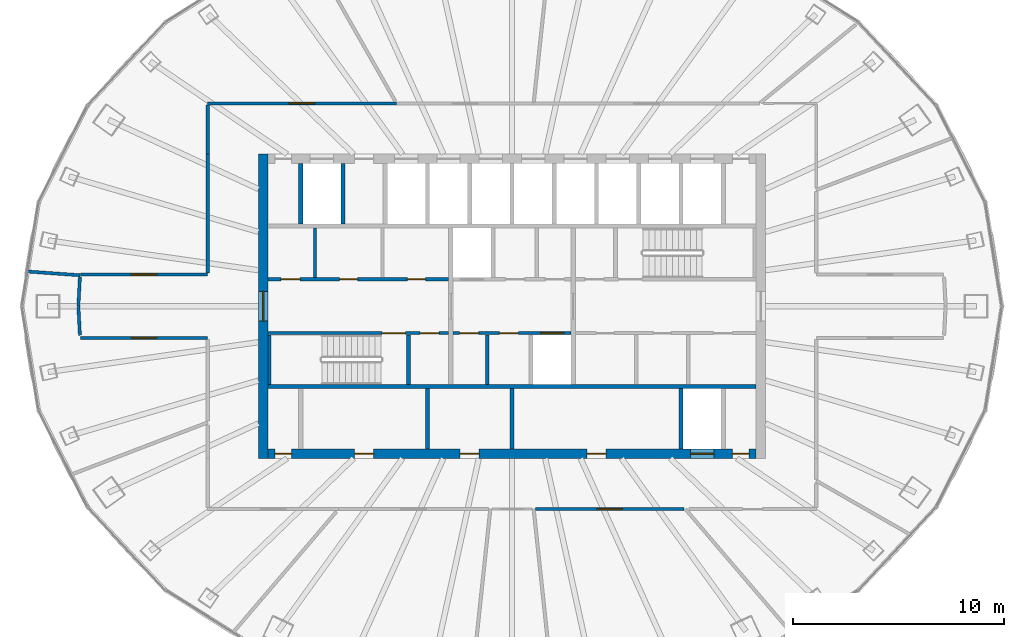
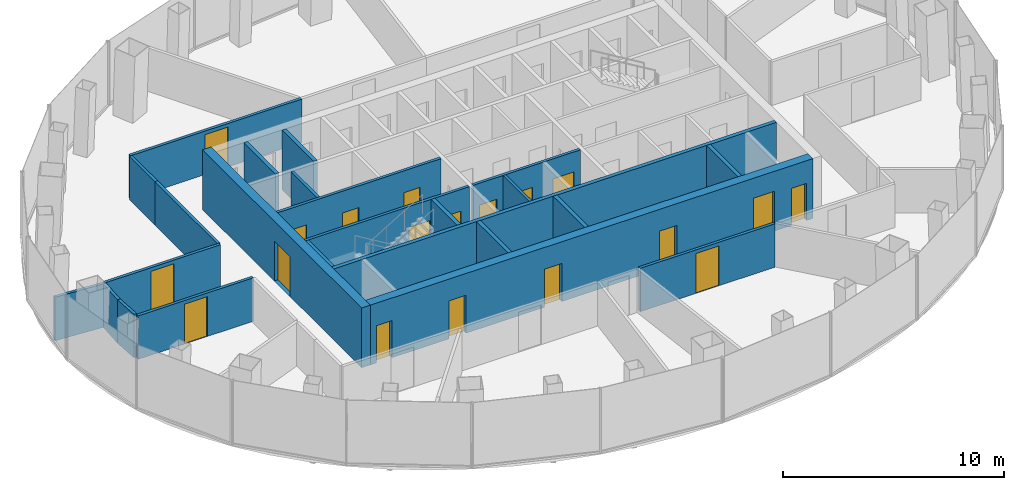
# One storey, part 8 of 11: 24 walls, 19 doors, 19 openings.
"""IFC4 building model written with IfcOpenShell, lengths in metres."""

from ifc_helpers import new_model, si_unit, direction, frame, frame_2d, origin, place, context, subcontext, project, spatial, rectangle, extrude, material, layer, layer_set, type_object, element, fill, save


model = new_model("IFC4")

# Units and contexts
model_context = context("Model", 3, precision=1e-05, world=origin(), true_north=direction((0.0, 1.0)))
body_context = subcontext(model_context, "Body", "Model", "MODEL_VIEW")
ifc_project = project(units=[si_unit("LENGTHUNIT", "METRE"), si_unit("AREAUNIT", "SQUARE_METRE"), si_unit("VOLUMEUNIT", "CUBIC_METRE"), si_unit("PLANEANGLEUNIT", "RADIAN"), si_unit("MASSUNIT", "GRAM", prefix="KILO")], contexts=[model_context])

# Site, building, storey
site_placement = place(None, origin())
site = spatial("IfcSite", under=ifc_project, at=site_placement, CompositionType="ELEMENT")
building_placement = place(site_placement, origin())
building = spatial("IfcBuilding", under=site, at=building_placement, Name="Siaravel Broadcast Tower", CompositionType="ELEMENT")
storey_placement = place(building_placement, frame((0.0, 0.0, 186.699951171875)))
storey = spatial("IfcBuildingStorey", under=building, at=storey_placement, Name="L45", CompositionType="ELEMENT", Elevation=186.699951171875)

# Walls
ifc_material_1 = material(Name="Concrete blockwork", Category="masonry")
ifc_layer_1 = layer(ifc_material_1, 0.14990234375)
ifc_layer_set_1 = layer_set([ifc_layer_1], Name="Concrete blockwork")
wall_type_1 = type_object("IfcWallType", Name="Core partition 150", PredefinedType="PARTITIONING", material=ifc_layer_set_1)
for number, where, z_axis, x_axis, name in (
    (1, (-9.330078125, 1.35009765625, 0.0), (0.0, 0.0, 1.0), (0.0, 1.0, 0.0), "L45 core partition PNW0"),
    (2, (-1.172607421875, -3.699951171875, 0.0), (0.0, 0.0, 1.0), (0.0, 1.0, 0.0), "L45 core partition PSM0"),
):
    element("IfcWall", number, at=place(storey_placement, frame(where, z_axis=z_axis, x_axis=x_axis)), inside=storey, type_object=wall_type_1, Name=name, PredefinedType="PARTITIONING", context=body_context, shape_type="SweptSolid", body=[
        extrude(rectangle(XDim=2.349853515625, YDim=0.14990234375, at=frame_2d((1.1748046875, 0.0))), origin(), (0.0, 0.0, 1.0), 3.300048828125),
    ])
ifc_layer_2 = layer(ifc_material_1, 0.199951171875)
ifc_layer_set_2 = layer_set([ifc_layer_2], Name="Concrete blockwork")
wall_type_2 = type_object("IfcWallType", Name="Core partition 200", PredefinedType="PARTITIONING", material=ifc_layer_set_2)
for number, where, z_axis, x_axis, name in (
    (3, (-4.0, -6.75, 0.0), (0.0, 0.0, 1.0), (0.0, 1.0, 0.0), "L45 core partition PFS0"),
    (4, (0.0, -6.75, 0.0), (0.0, 0.0, 1.0), (0.0, 1.0, 0.0), "L45 core partition PFS3"),
):
    element("IfcWall", number, at=place(storey_placement, frame(where, z_axis=z_axis, x_axis=x_axis)), inside=storey, type_object=wall_type_2, Name=name, PredefinedType="PARTITIONING", context=body_context, shape_type="SweptSolid", body=[
        extrude(rectangle(XDim=2.85009765625, YDim=0.199951171875, at=frame_2d((1.425048828125, 0.0))), origin(), (0.0, 0.0, 1.0), 3.300048828125),
    ])

# Wall, opening, door
ifc_material_2 = material(Name="Concrete C60/75", Category="concrete")
ifc_layer_3 = layer(ifc_material_2, 0.449951171875)
ifc_layer_set_3 = layer_set([ifc_layer_3], Name="Concrete C60/75")
wall_type_3 = type_object("IfcWallType", Name="Core wall 450", PredefinedType="SHEAR", material=ifc_layer_set_3)
wall_1_placement = place(storey_placement, frame((-11.77490234375, -7.199951171875, 0.0), z_axis=(0.0, 0.0, 1.0), x_axis=(0.0, 1.0, 0.0)))
wall_1 = element("IfcWall", 5, at=wall_1_placement, inside=storey, type_object=wall_type_3, Name="L45 core wall OW", PredefinedType="SHEAR", context=body_context, shape_type="SweptSolid", body=[
    extrude(rectangle(XDim=14.39990234375, YDim=0.449951171875, at=frame_2d((7.199951171875, 0.0))), origin(), (0.0, 0.0, 1.0), 3.300048828125),
])
opening_1_placement = place(wall_1_placement, frame((6.5, 0.0, 0.0)))
opening_1 = element("IfcOpeningElement", 6, at=opening_1_placement, cuts=wall_1, Name="Opening L45-DX-W", PredefinedType="OPENING", context=body_context, shape_type="SweptSolid", body=[
    extrude(rectangle(XDim=1.39990234375, YDim=2.199951171875, at=frame_2d((0.699951171875, 1.10009765625))), frame((0.0, 0.23486328125, 0.0), z_axis=(0.0, -1.0, 0.0), x_axis=(1.0, 0.0, 0.0)), (0.0, 0.0, 1.0), 0.469970703125),
])
ifc_material_3 = material(Name="Steel", Category="steel")
door_type_1 = type_object("IfcDoorType", Name="Core exit door 1400", OperationType="DOUBLE_DOOR_SINGLE_SWING", PredefinedType="DOOR", material=ifc_material_3)
door_1_placement = place(opening_1_placement, origin())
door_1 = element("IfcDoor", 7, at=door_1_placement, inside=storey, type_object=door_type_1, Name="L45 door DX-W", OperationType="DOUBLE_DOOR_SINGLE_SWING", OverallHeight=2.199951171875, OverallWidth=1.39990234375, PredefinedType="DOOR", context=body_context, shape_type="SweptSolid", body=[
    extrude(rectangle(XDim=1.39990234375, YDim=2.199951171875, at=frame_2d((0.699951171875, 1.10009765625))), frame((0.0, 0.02490234375, 0.0), z_axis=(0.0, -1.0, 0.0), x_axis=(1.0, 0.0, 0.0)), (0.0, 0.0, 1.0), 0.050048828125),
])
fill(opening_1, door_1)

# Wall, openings, doors
wall_2_placement = place(storey_placement, frame((-11.550048828125, -6.97509765625, 0.0), z_axis=(0.0, 0.0, 1.0), x_axis=(1.0, 0.0, 0.0)))
wall_2 = element("IfcWall", 8, at=wall_2_placement, inside=storey, type_object=wall_type_3, Name="L45 core wall OS", PredefinedType="SHEAR", context=body_context, shape_type="SweptSolid", body=[
    extrude(rectangle(XDim=23.10009765625, YDim=0.449951171875, at=frame_2d((11.550048828125, 0.0))), origin(), (0.0, 0.0, 1.0), 3.300048828125),
])
opening_2_placement = place(wall_2_placement, frame((20.0, 0.0, 0.0)))
opening_2 = element("IfcOpeningElement", 9, at=opening_2_placement, cuts=wall_2, Name="Opening LD-SV1-L45", PredefinedType="OPENING", context=body_context, shape_type="SweptSolid", body=[
    extrude(rectangle(XDim=1.10009765625, YDim=2.199951171875, at=frame_2d((0.550048828125, 1.10009765625))), frame((0.0, 0.23486328125, 0.0), z_axis=(0.0, -1.0, 0.0), x_axis=(1.0, 0.0, 0.0)), (0.0, 0.0, 1.0), 0.469970703125),
])
opening_3_placement = place(wall_2_placement, frame((4.10009765625, 0.0, 0.0)))
opening_3 = element("IfcOpeningElement", 10, at=opening_3_placement, cuts=wall_2, Name="Opening L45-DFS0", PredefinedType="OPENING", context=body_context, shape_type="SweptSolid", body=[
    extrude(rectangle(XDim=0.89990234375, YDim=2.10009765625, at=frame_2d((0.449951171875, 1.050048828125))), frame((0.0, 0.23486328125, 0.0), z_axis=(0.0, -1.0, 0.0), x_axis=(1.0, 0.0, 0.0)), (0.0, 0.0, 1.0), 0.469970703125),
])
opening_4_placement = place(wall_2_placement, frame((9.10009765625, 0.0, 0.0)))
opening_4 = element("IfcOpeningElement", 11, at=opening_4_placement, cuts=wall_2, Name="Opening L45-DFS3", PredefinedType="OPENING", context=body_context, shape_type="SweptSolid", body=[
    extrude(rectangle(XDim=0.89990234375, YDim=2.10009765625, at=frame_2d((0.449951171875, 1.050048828125))), frame((0.0, 0.23486328125, 0.0), z_axis=(0.0, -1.0, 0.0), x_axis=(1.0, 0.0, 0.0)), (0.0, 0.0, 1.0), 0.469970703125),
])
opening_5_placement = place(wall_2_placement, frame((15.10009765625, 0.0, 0.0)))
opening_5 = element("IfcOpeningElement", 12, at=opening_5_placement, cuts=wall_2, Name="Opening L45-DFS5", PredefinedType="OPENING", context=body_context, shape_type="SweptSolid", body=[
    extrude(rectangle(XDim=0.89990234375, YDim=2.10009765625, at=frame_2d((0.449951171875, 1.050048828125))), frame((0.0, 0.23486328125, 0.0), z_axis=(0.0, -1.0, 0.0), x_axis=(1.0, 0.0, 0.0)), (0.0, 0.0, 1.0), 0.469970703125),
])
opening_6_placement = place(wall_2_placement, frame((0.324951171875, 0.0, 0.0)))
opening_6 = element("IfcOpeningElement", 13, at=opening_6_placement, cuts=wall_2, Name="Opening L45-DRSW", PredefinedType="OPENING", context=body_context, shape_type="SweptSolid", body=[
    extrude(rectangle(XDim=0.800048828125, YDim=2.050048828125, at=frame_2d((0.39990234375, 1.02490234375))), frame((0.0, 0.23486328125, 0.0), z_axis=(0.0, -1.0, 0.0), x_axis=(1.0, 0.0, 0.0)), (0.0, 0.0, 1.0), 0.469970703125),
])
opening_7_placement = place(wall_2_placement, frame((21.97509765625, 0.0, 0.0)))
opening_7 = element("IfcOpeningElement", 14, at=opening_7_placement, cuts=wall_2, Name="Opening L45-DRSE", PredefinedType="OPENING", context=body_context, shape_type="SweptSolid", body=[
    extrude(rectangle(XDim=0.800048828125, YDim=2.050048828125, at=frame_2d((0.39990234375, 1.02490234375))), frame((0.0, 0.23486328125, 0.0), z_axis=(0.0, -1.0, 0.0), x_axis=(1.0, 0.0, 0.0)), (0.0, 0.0, 1.0), 0.469970703125),
])
ifc_material_4 = material(Name="Timber veneer", Category="wood")
door_type_2 = type_object("IfcDoorType", Name="Core room door 900", OperationType="SINGLE_SWING_LEFT", PredefinedType="DOOR", material=ifc_material_4)
door_2_placement = place(opening_3_placement, origin())
door_2 = element("IfcDoor", 15, at=door_2_placement, inside=storey, type_object=door_type_2, Name="L45 door DFS0", OperationType="SINGLE_SWING_LEFT", OverallHeight=2.10009765625, OverallWidth=0.89990234375, PredefinedType="DOOR", context=body_context, shape_type="SweptSolid", body=[
    extrude(rectangle(XDim=0.89990234375, YDim=2.10009765625, at=frame_2d((0.449951171875, 1.050048828125))), frame((0.0, 0.02490234375, 0.0), z_axis=(0.0, -1.0, 0.0), x_axis=(1.0, 0.0, 0.0)), (0.0, 0.0, 1.0), 0.050048828125),
])
fill(opening_3, door_2)
door_3_placement = place(opening_4_placement, origin())
door_3 = element("IfcDoor", 16, at=door_3_placement, inside=storey, type_object=door_type_2, Name="L45 door DFS3", OperationType="SINGLE_SWING_LEFT", OverallHeight=2.10009765625, OverallWidth=0.89990234375, PredefinedType="DOOR", context=body_context, shape_type="SweptSolid", body=[
    extrude(rectangle(XDim=0.89990234375, YDim=2.10009765625, at=frame_2d((0.449951171875, 1.050048828125))), frame((0.0, 0.02490234375, 0.0), z_axis=(0.0, -1.0, 0.0), x_axis=(1.0, 0.0, 0.0)), (0.0, 0.0, 1.0), 0.050048828125),
])
fill(opening_4, door_3)
door_4_placement = place(opening_5_placement, origin())
door_4 = element("IfcDoor", 17, at=door_4_placement, inside=storey, type_object=door_type_2, Name="L45 door DFS5", OperationType="SINGLE_SWING_LEFT", OverallHeight=2.10009765625, OverallWidth=0.89990234375, PredefinedType="DOOR", context=body_context, shape_type="SweptSolid", body=[
    extrude(rectangle(XDim=0.89990234375, YDim=2.10009765625, at=frame_2d((0.449951171875, 1.050048828125))), frame((0.0, 0.02490234375, 0.0), z_axis=(0.0, -1.0, 0.0), x_axis=(1.0, 0.0, 0.0)), (0.0, 0.0, 1.0), 0.050048828125),
])
fill(opening_5, door_4)
door_type_3 = type_object("IfcDoorType", Name="Riser door 800", OperationType="SINGLE_SWING_LEFT", PredefinedType="DOOR", material=ifc_material_3)
door_5_placement = place(opening_6_placement, origin())
door_5 = element("IfcDoor", 18, at=door_5_placement, inside=storey, type_object=door_type_3, Name="L45 door DRSW", OperationType="SINGLE_SWING_LEFT", OverallHeight=2.050048828125, OverallWidth=0.800048828125, PredefinedType="DOOR", context=body_context, shape_type="SweptSolid", body=[
    extrude(rectangle(XDim=0.800048828125, YDim=2.050048828125, at=frame_2d((0.39990234375, 1.02490234375))), frame((0.0, 0.02490234375, 0.0), z_axis=(0.0, -1.0, 0.0), x_axis=(1.0, 0.0, 0.0)), (0.0, 0.0, 1.0), 0.050048828125),
])
fill(opening_6, door_5)
door_6_placement = place(opening_7_placement, origin())
door_6 = element("IfcDoor", 19, at=door_6_placement, inside=storey, type_object=door_type_3, Name="L45 door DRSE", OperationType="SINGLE_SWING_LEFT", OverallHeight=2.050048828125, OverallWidth=0.800048828125, PredefinedType="DOOR", context=body_context, shape_type="SweptSolid", body=[
    extrude(rectangle(XDim=0.800048828125, YDim=2.050048828125, at=frame_2d((0.39990234375, 1.02490234375))), frame((0.0, 0.02490234375, 0.0), z_axis=(0.0, -1.0, 0.0), x_axis=(1.0, 0.0, 0.0)), (0.0, 0.0, 1.0), 0.050048828125),
])
fill(opening_7, door_6)
ifc_material_5 = material(Name="Stainless steel 316L", Category="steel")
door_type_4 = type_object("IfcDoorType", Name="Service lift landing door 1100", OperationType="DOUBLE_DOOR_SLIDING", PredefinedType="DOOR", material=ifc_material_5)
door_7_placement = place(opening_2_placement, origin())
door_7 = element("IfcDoor", 20, at=door_7_placement, inside=storey, type_object=door_type_4, Name="Landing door SV1 L45", OperationType="DOUBLE_DOOR_SLIDING", OverallHeight=2.199951171875, OverallWidth=1.10009765625, PredefinedType="DOOR", context=body_context, shape_type="SweptSolid", body=[
    extrude(rectangle(XDim=1.10009765625, YDim=2.199951171875, at=frame_2d((0.550048828125, 1.10009765625))), frame((0.0, 0.02490234375, 0.0), z_axis=(0.0, -1.0, 0.0), x_axis=(1.0, 0.0, 0.0)), (0.0, 0.0, 1.0), 0.050048828125),
])
fill(opening_2, door_7)

ifc_material_6 = material(Name="Gypsum board partition", Category="gypsum")
ifc_layer_4 = layer(ifc_material_6, 0.14990234375)
ifc_layer_set_4 = layer_set([ifc_layer_4], Name="Gypsum board partition")
wall_type_4 = type_object("IfcWallType", Name="Corridor wall 150", PredefinedType="PARTITIONING", material=ifc_layer_set_4)
wall_3_placement = place(storey_placement, frame((-11.550048828125, 1.27490234375, 0.0), z_axis=(0.0, 0.0, 1.0), x_axis=(1.0, 0.0, 0.0)))
wall_3 = element("IfcWall", 21, at=wall_3_placement, inside=storey, type_object=wall_type_4, Name="L45 core partition CNW", PredefinedType="PARTITIONING", context=body_context, shape_type="SweptSolid", body=[
    extrude(rectangle(XDim=8.550048828125, YDim=0.14990234375, at=frame_2d((4.27490234375, 0.0))), origin(), (0.0, 0.0, 1.0), 3.300048828125),
])
opening_8_placement = place(wall_3_placement, frame((0.62255859375, 0.0, 0.0)))
opening_8 = element("IfcOpeningElement", 22, at=opening_8_placement, cuts=wall_3, Name="Opening L45-DNW0", PredefinedType="OPENING", context=body_context, shape_type="SweptSolid", body=[
    extrude(rectangle(XDim=0.89990234375, YDim=2.10009765625, at=frame_2d((0.449951171875, 1.050048828125))), frame((0.0, 0.0849609375, 0.0), z_axis=(0.0, -1.0, 0.0), x_axis=(1.0, 0.0, 0.0)), (0.0, 0.0, 1.0), 0.169921875),
])
opening_9_placement = place(wall_3_placement, frame((3.396240234375, 0.0, 0.0)))
opening_9 = element("IfcOpeningElement", 23, at=opening_9_placement, cuts=wall_3, Name="Opening L45-DNW1", PredefinedType="OPENING", context=body_context, shape_type="SweptSolid", body=[
    extrude(rectangle(XDim=0.85009765625, YDim=2.10009765625, at=frame_2d((0.425048828125, 1.050048828125))), frame((0.0, 0.0849609375, 0.0), z_axis=(0.0, -1.0, 0.0), x_axis=(1.0, 0.0, 0.0)), (0.0, 0.0, 1.0), 0.169921875),
])
opening_10_placement = place(wall_3_placement, frame((6.5986328125, 0.0, 0.0)))
opening_10 = element("IfcOpeningElement", 24, at=opening_10_placement, cuts=wall_3, Name="Opening L45-DNW2", PredefinedType="OPENING", context=body_context, shape_type="SweptSolid", body=[
    extrude(rectangle(XDim=0.85009765625, YDim=2.10009765625, at=frame_2d((0.425048828125, 1.050048828125))), frame((0.0, 0.0849609375, 0.0), z_axis=(0.0, -1.0, 0.0), x_axis=(1.0, 0.0, 0.0)), (0.0, 0.0, 1.0), 0.169921875),
])
door_8_placement = place(opening_8_placement, origin())
door_8 = element("IfcDoor", 25, at=door_8_placement, inside=storey, type_object=door_type_2, Name="L45 door DNW0", OperationType="SINGLE_SWING_LEFT", OverallHeight=2.10009765625, OverallWidth=0.89990234375, PredefinedType="DOOR", context=body_context, shape_type="SweptSolid", body=[
    extrude(rectangle(XDim=0.89990234375, YDim=2.10009765625, at=frame_2d((0.449951171875, 1.050048828125))), frame((0.0, 0.02490234375, 0.0), z_axis=(0.0, -1.0, 0.0), x_axis=(1.0, 0.0, 0.0)), (0.0, 0.0, 1.0), 0.050048828125),
])
fill(opening_8, door_8)
door_type_5 = type_object("IfcDoorType", Name="Core toilet door 850", OperationType="SINGLE_SWING_LEFT", PredefinedType="DOOR", material=ifc_material_4)
door_9_placement = place(opening_9_placement, origin())
door_9 = element("IfcDoor", 26, at=door_9_placement, inside=storey, type_object=door_type_5, Name="L45 door DNW1", OperationType="SINGLE_SWING_LEFT", OverallHeight=2.10009765625, OverallWidth=0.85009765625, PredefinedType="DOOR", context=body_context, shape_type="SweptSolid", body=[
    extrude(rectangle(XDim=0.85009765625, YDim=2.10009765625, at=frame_2d((0.425048828125, 1.050048828125))), frame((0.0, 0.02490234375, 0.0), z_axis=(0.0, -1.0, 0.0), x_axis=(1.0, 0.0, 0.0)), (0.0, 0.0, 1.0), 0.050048828125),
])
fill(opening_9, door_9)
door_10_placement = place(opening_10_placement, origin())
door_10 = element("IfcDoor", 27, at=door_10_placement, inside=storey, type_object=door_type_5, Name="L45 door DNW2", OperationType="SINGLE_SWING_LEFT", OverallHeight=2.10009765625, OverallWidth=0.85009765625, PredefinedType="DOOR", context=body_context, shape_type="SweptSolid", body=[
    extrude(rectangle(XDim=0.85009765625, YDim=2.10009765625, at=frame_2d((0.425048828125, 1.050048828125))), frame((0.0, 0.02490234375, 0.0), z_axis=(0.0, -1.0, 0.0), x_axis=(1.0, 0.0, 0.0)), (0.0, 0.0, 1.0), 0.050048828125),
])
fill(opening_10, door_10)

# Wall, opening, door
wall_4_placement = place(storey_placement, frame((-5.465087890625, 9.60009765625, 0.0), z_axis=(0.0, 0.0, 1.0), x_axis=(-1.0, 0.0, 0.0)))
wall_4 = element("IfcWall", 28, at=wall_4_placement, inside=storey, type_object=wall_type_4, Name="L45 partition 5", PredefinedType="PARTITIONING", context=body_context, shape_type="SweptSolid", body=[
    extrude(rectangle(XDim=8.934814453125, YDim=0.14990234375, at=frame_2d((4.46728515625, 0.0))), origin(), (0.0, 0.0, 1.0), 2.400146484375),
])
opening_11_placement = place(wall_4_placement, frame((3.867431640625, 0.0, 0.0)))
opening_11 = element("IfcOpeningElement", 29, at=opening_11_placement, cuts=wall_4, Name="Opening L45-008", PredefinedType="OPENING", context=body_context, shape_type="SweptSolid", body=[
    extrude(rectangle(XDim=1.199951171875, YDim=2.199951171875, at=frame_2d((0.60009765625, 1.10009765625))), frame((0.0, 0.0849609375, 0.0), z_axis=(0.0, -1.0, 0.0), x_axis=(1.0, 0.0, 0.0)), (0.0, 0.0, 1.0), 0.169921875),
])
door_type_6 = type_object("IfcDoorType", Name="Office double door 1200", OperationType="DOUBLE_DOOR_SINGLE_SWING", PredefinedType="DOOR", material=ifc_material_4)
door_11_placement = place(opening_11_placement, origin())
door_11 = element("IfcDoor", 30, at=door_11_placement, inside=storey, type_object=door_type_6, Name="L45 door to Open plan office", OperationType="DOUBLE_DOOR_SINGLE_SWING", OverallHeight=2.199951171875, OverallWidth=1.199951171875, PredefinedType="DOOR", context=body_context, shape_type="SweptSolid", body=[
    extrude(rectangle(XDim=1.199951171875, YDim=2.199951171875, at=frame_2d((0.60009765625, 1.10009765625))), frame((0.0, 0.02490234375, 0.0), z_axis=(0.0, -1.0, 0.0), x_axis=(1.0, 0.0, 0.0)), (0.0, 0.0, 1.0), 0.050048828125),
])
fill(opening_11, door_11)

wall_5_placement = place(storey_placement, frame((1.11083984375, -9.60009765625, 0.0), z_axis=(0.0, 0.0, 1.0), x_axis=(1.0, 0.0, 0.0)))
wall_5 = element("IfcWall", 31, at=wall_5_placement, inside=storey, type_object=wall_type_4, Name="L45 partition 9", PredefinedType="PARTITIONING", context=body_context, shape_type="SweptSolid", body=[
    extrude(rectangle(XDim=7.03662109375, YDim=0.14990234375, at=frame_2d((3.518310546875, 0.0))), origin(), (0.0, 0.0, 1.0), 2.400146484375),
])
opening_12_placement = place(wall_5_placement, frame((2.918212890625, 0.0, 0.0)))
opening_12 = element("IfcOpeningElement", 32, at=opening_12_placement, cuts=wall_5, Name="Opening L45-001", PredefinedType="OPENING", context=body_context, shape_type="SweptSolid", body=[
    extrude(rectangle(XDim=1.199951171875, YDim=2.199951171875, at=frame_2d((0.60009765625, 1.10009765625))), frame((0.0, 0.0849609375, 0.0), z_axis=(0.0, -1.0, 0.0), x_axis=(1.0, 0.0, 0.0)), (0.0, 0.0, 1.0), 0.169921875),
])
door_12_placement = place(opening_12_placement, origin())
door_12 = element("IfcDoor", 33, at=door_12_placement, inside=storey, type_object=door_type_6, Name="L45 door to Open plan office", OperationType="DOUBLE_DOOR_SINGLE_SWING", OverallHeight=2.199951171875, OverallWidth=1.199951171875, PredefinedType="DOOR", context=body_context, shape_type="SweptSolid", body=[
    extrude(rectangle(XDim=1.199951171875, YDim=2.199951171875, at=frame_2d((0.60009765625, 1.10009765625))), frame((0.0, 0.02490234375, 0.0), z_axis=(0.0, -1.0, 0.0), x_axis=(1.0, 0.0, 0.0)), (0.0, 0.0, 1.0), 0.050048828125),
])
fill(opening_12, door_12)

wall_6_placement = place(storey_placement, frame((-14.39990234375, 1.5, 0.0), z_axis=(0.0, 0.0, 1.0), x_axis=(-1.0, 0.0, 0.0)))
wall_6 = element("IfcWall", 34, at=wall_6_placement, inside=storey, type_object=wall_type_4, Name="L45 partition 15", PredefinedType="PARTITIONING", context=body_context, shape_type="SweptSolid", body=[
    extrude(rectangle(XDim=6.027587890625, YDim=0.14990234375, at=frame_2d((3.013671875, 0.0))), origin(), (0.0, 0.0, 1.0), 2.400146484375),
])
opening_13_placement = place(wall_6_placement, frame((2.413818359375, 0.0, 0.0)))
opening_13 = element("IfcOpeningElement", 35, at=opening_13_placement, cuts=wall_6, Name="Opening L45-009", PredefinedType="OPENING", context=body_context, shape_type="SweptSolid", body=[
    extrude(rectangle(XDim=1.199951171875, YDim=2.199951171875, at=frame_2d((0.60009765625, 1.10009765625))), frame((0.0, 0.0849609375, 0.0), z_axis=(0.0, -1.0, 0.0), x_axis=(1.0, 0.0, 0.0)), (0.0, 0.0, 1.0), 0.169921875),
])
door_13_placement = place(opening_13_placement, origin())
door_13 = element("IfcDoor", 36, at=door_13_placement, inside=storey, type_object=door_type_6, Name="L45 door to Open plan office", OperationType="DOUBLE_DOOR_SINGLE_SWING", OverallHeight=2.199951171875, OverallWidth=1.199951171875, PredefinedType="DOOR", context=body_context, shape_type="SweptSolid", body=[
    extrude(rectangle(XDim=1.199951171875, YDim=2.199951171875, at=frame_2d((0.60009765625, 1.10009765625))), frame((0.0, 0.02490234375, 0.0), z_axis=(0.0, -1.0, 0.0), x_axis=(1.0, 0.0, 0.0)), (0.0, 0.0, 1.0), 0.050048828125),
])
fill(opening_13, door_13)

wall_7_placement = place(storey_placement, frame((-20.427490234375, -1.5, 0.0), z_axis=(0.0, 0.0, 1.0), x_axis=(1.0, 0.0, 0.0)))
wall_7 = element("IfcWall", 37, at=wall_7_placement, inside=storey, type_object=wall_type_4, Name="L45 partition 16", PredefinedType="PARTITIONING", context=body_context, shape_type="SweptSolid", body=[
    extrude(rectangle(XDim=6.027587890625, YDim=0.14990234375, at=frame_2d((3.013671875, 0.0))), origin(), (0.0, 0.0, 1.0), 2.400146484375),
])
opening_14_placement = place(wall_7_placement, frame((2.413818359375, 0.0, 0.0)))
opening_14 = element("IfcOpeningElement", 38, at=opening_14_placement, cuts=wall_7, Name="Opening L45-010", PredefinedType="OPENING", context=body_context, shape_type="SweptSolid", body=[
    extrude(rectangle(XDim=1.199951171875, YDim=2.199951171875, at=frame_2d((0.60009765625, 1.10009765625))), frame((0.0, 0.0849609375, 0.0), z_axis=(0.0, -1.0, 0.0), x_axis=(1.0, 0.0, 0.0)), (0.0, 0.0, 1.0), 0.169921875),
])
door_14_placement = place(opening_14_placement, origin())
door_14 = element("IfcDoor", 39, at=door_14_placement, inside=storey, type_object=door_type_6, Name="L45 door to Open plan office", OperationType="DOUBLE_DOOR_SINGLE_SWING", OverallHeight=2.199951171875, OverallWidth=1.199951171875, PredefinedType="DOOR", context=body_context, shape_type="SweptSolid", body=[
    extrude(rectangle(XDim=1.199951171875, YDim=2.199951171875, at=frame_2d((0.60009765625, 1.10009765625))), frame((0.0, 0.02490234375, 0.0), z_axis=(0.0, -1.0, 0.0), x_axis=(1.0, 0.0, 0.0)), (0.0, 0.0, 1.0), 0.050048828125),
])
fill(opening_14, door_14)

# Walls
wall_8_placement = place(storey_placement, frame((-14.39990234375, 7.2119140625, 0.0), z_axis=(0.0, 0.0, 1.0), x_axis=(0.0, -1.0, 0.0)))
element("IfcWall", 40, at=wall_8_placement, inside=storey, type_object=wall_type_4, Name="L45 partition 20", PredefinedType="PARTITIONING", context=body_context, shape_type="SweptSolid", body=[
    extrude(rectangle(XDim=5.635009765625, YDim=0.14990234375, at=frame_2d((2.8173828125, 0.0))), origin(), (0.0, 0.0, 1.0), 2.400146484375),
])
wall_9_placement = place(storey_placement, frame((-14.39990234375, 9.52294921875, 0.0), z_axis=(0.0, 0.0, 1.0), x_axis=(0.0, -1.0, 0.0)))
element("IfcWall", 41, at=wall_9_placement, inside=storey, type_object=wall_type_4, Name="L45 partition 29", PredefinedType="PARTITIONING", context=body_context, shape_type="SweptSolid", body=[
    extrude(rectangle(XDim=2.31005859375, YDim=0.14990234375, at=frame_2d((1.155029296875, 0.0))), origin(), (0.0, 0.0, 1.0), 2.400146484375),
])
wall_10_placement = place(storey_placement, frame((-20.447021484375, 1.38818359375, 0.0), z_axis=(0.0, 0.0, 1.0), x_axis=(-0.053213278, -0.99858317, 0.0)))
element("IfcWall", 42, at=wall_10_placement, inside=storey, type_object=wall_type_4, Name="L45 partition 35", PredefinedType="PARTITIONING", context=body_context, shape_type="SweptSolid", body=[
    extrude(rectangle(XDim=1.39013671875, YDim=0.14990234375, at=frame_2d((0.695068359375, 0.0))), origin(), (0.0, 0.0, 1.0), 2.400146484375),
])
wall_11_placement = place(storey_placement, frame((-20.5205078125, -0.010009765625, 0.0), z_axis=(0.0, 0.0, 1.0), x_axis=(0.053271904, -0.998580044, 0.0)))
element("IfcWall", 43, at=wall_11_placement, inside=storey, type_object=wall_type_4, Name="L45 partition 38", PredefinedType="PARTITIONING", context=body_context, shape_type="SweptSolid", body=[
    extrude(rectangle(XDim=1.36572265625, YDim=0.14990234375, at=frame_2d((0.682861328125, 0.0))), origin(), (0.0, 0.0, 1.0), 2.400146484375),
])
ifc_layer_5 = layer(ifc_material_6, 0.14990234375)
ifc_layer_set_5 = layer_set([ifc_layer_5], Name="Gypsum board partition")
wall_type_5 = type_object("IfcWallType", Name="Room partition 150", PredefinedType="PARTITIONING", material=ifc_layer_set_5)
wall_12_placement = place(storey_placement, frame((-22.93701171875, 1.643798828125, 0.0), z_axis=(0.0, 0.0, 1.0), x_axis=(0.997442816, -0.071469082, 0.0)))
element("IfcWall", 44, at=wall_12_placement, inside=storey, type_object=wall_type_5, Name="L45 partition 27", PredefinedType="PARTITIONING", context=body_context, shape_type="SweptSolid", body=[
    extrude(rectangle(XDim=2.50048828125, YDim=0.14990234375, at=frame_2d((1.250244140625, 0.0))), origin(), (0.0, 0.0, 1.0), 2.400146484375),
])

# Wall, openings, doors
ifc_layer_6 = layer(ifc_material_2, 0.14990234375)
ifc_layer_set_6 = layer_set([ifc_layer_6], Name="Concrete C60/75")
wall_type_6 = type_object("IfcWallType", Name="Shaft wall 150", PredefinedType="SHEAR", material=ifc_layer_set_6)
wall_13_placement = place(storey_placement, frame((-11.550048828125, -1.27490234375, 0.0), z_axis=(0.0, 0.0, 1.0), x_axis=(1.0, 0.0, 0.0)))
wall_13 = element("IfcWall", 45, at=wall_13_placement, inside=storey, type_object=wall_type_6, Name="L45 core wall CSW", PredefinedType="SHEAR", context=body_context, shape_type="SweptSolid", body=[
    extrude(rectangle(XDim=8.550048828125, YDim=0.14990234375, at=frame_2d((4.27490234375, 0.0))), origin(), (0.0, 0.0, 1.0), 3.300048828125),
])
opening_15_placement = place(wall_13_placement, frame((5.39990234375, 0.0, 0.0)))
opening_15 = element("IfcOpeningElement", 46, at=opening_15_placement, cuts=wall_13, Name="Opening L45-DS-1", PredefinedType="OPENING", context=body_context, shape_type="SweptSolid", body=[
    extrude(rectangle(XDim=1.10009765625, YDim=2.14990234375, at=frame_2d((0.550048828125, 1.074951171875))), frame((0.0, 0.0849609375, 0.0), z_axis=(0.0, -1.0, 0.0), x_axis=(1.0, 0.0, 0.0)), (0.0, 0.0, 1.0), 0.169921875),
])
opening_16_placement = place(wall_13_placement, frame((7.199951171875, 0.0, 0.0)))
opening_16 = element("IfcOpeningElement", 47, at=opening_16_placement, cuts=wall_13, Name="Opening L45-DSW0", PredefinedType="OPENING", context=body_context, shape_type="SweptSolid", body=[
    extrude(rectangle(XDim=0.89990234375, YDim=2.10009765625, at=frame_2d((0.449951171875, 1.050048828125))), frame((0.0, 0.0849609375, 0.0), z_axis=(0.0, -1.0, 0.0), x_axis=(1.0, 0.0, 0.0)), (0.0, 0.0, 1.0), 0.169921875),
])
door_15_placement = place(opening_16_placement, origin())
door_15 = element("IfcDoor", 48, at=door_15_placement, inside=storey, type_object=door_type_2, Name="L45 door DSW0", OperationType="SINGLE_SWING_LEFT", OverallHeight=2.10009765625, OverallWidth=0.89990234375, PredefinedType="DOOR", context=body_context, shape_type="SweptSolid", body=[
    extrude(rectangle(XDim=0.89990234375, YDim=2.10009765625, at=frame_2d((0.449951171875, 1.050048828125))), frame((0.0, 0.02490234375, 0.0), z_axis=(0.0, -1.0, 0.0), x_axis=(1.0, 0.0, 0.0)), (0.0, 0.0, 1.0), 0.050048828125),
])
fill(opening_16, door_15)
door_type_7 = type_object("IfcDoorType", Name="Stair door 1100", OperationType="SINGLE_SWING_LEFT", PredefinedType="DOOR", material=ifc_material_3)
door_16_placement = place(opening_15_placement, origin())
door_16 = element("IfcDoor", 49, at=door_16_placement, inside=storey, type_object=door_type_7, Name="L45 door DS-1", OperationType="SINGLE_SWING_LEFT", OverallHeight=2.14990234375, OverallWidth=1.10009765625, PredefinedType="DOOR", context=body_context, shape_type="SweptSolid", body=[
    extrude(rectangle(XDim=1.10009765625, YDim=2.14990234375, at=frame_2d((0.550048828125, 1.074951171875))), frame((0.0, 0.02490234375, 0.0), z_axis=(0.0, -1.0, 0.0), x_axis=(1.0, 0.0, 0.0)), (0.0, 0.0, 1.0), 0.050048828125),
])
fill(opening_15, door_16)

wall_14_placement = place(storey_placement, frame((-2.800048828125, -1.27490234375, 0.0), z_axis=(0.0, 0.0, 1.0), x_axis=(1.0, 0.0, 0.0)))
wall_14 = element("IfcWall", 50, at=wall_14_placement, inside=storey, type_object=wall_type_6, Name="L45 core wall CSM", PredefinedType="SHEAR", context=body_context, shape_type="SweptSolid", body=[
    extrude(rectangle(XDim=5.60009765625, YDim=0.14990234375, at=frame_2d((2.800048828125, 0.0))), origin(), (0.0, 0.0, 1.0), 3.300048828125),
])
opening_17_placement = place(wall_14_placement, frame((4.14990234375, 0.0, 0.0)))
opening_17 = element("IfcOpeningElement", 51, at=opening_17_placement, cuts=wall_14, Name="Opening LD-FL2-L45", PredefinedType="OPENING", context=body_context, shape_type="SweptSolid", body=[
    extrude(rectangle(XDim=1.10009765625, YDim=2.199951171875, at=frame_2d((0.550048828125, 1.10009765625))), frame((0.0, 0.0849609375, 0.0), z_axis=(0.0, -1.0, 0.0), x_axis=(1.0, 0.0, 0.0)), (0.0, 0.0, 1.0), 0.169921875),
])
opening_18_placement = place(wall_14_placement, frame((0.326416015625, 0.0, 0.0)))
opening_18 = element("IfcOpeningElement", 52, at=opening_18_placement, cuts=wall_14, Name="Opening L45-DSM0", PredefinedType="OPENING", context=body_context, shape_type="SweptSolid", body=[
    extrude(rectangle(XDim=0.89990234375, YDim=2.10009765625, at=frame_2d((0.449951171875, 1.050048828125))), frame((0.0, 0.0849609375, 0.0), z_axis=(0.0, -1.0, 0.0), x_axis=(1.0, 0.0, 0.0)), (0.0, 0.0, 1.0), 0.169921875),
])
opening_19_placement = place(wall_14_placement, frame((2.201416015625, 0.0, 0.0)))
opening_19 = element("IfcOpeningElement", 53, at=opening_19_placement, cuts=wall_14, Name="Opening L45-DSM1", PredefinedType="OPENING", context=body_context, shape_type="SweptSolid", body=[
    extrude(rectangle(XDim=0.89990234375, YDim=2.10009765625, at=frame_2d((0.449951171875, 1.050048828125))), frame((0.0, 0.0849609375, 0.0), z_axis=(0.0, -1.0, 0.0), x_axis=(1.0, 0.0, 0.0)), (0.0, 0.0, 1.0), 0.169921875),
])
door_17_placement = place(opening_18_placement, origin())
door_17 = element("IfcDoor", 54, at=door_17_placement, inside=storey, type_object=door_type_2, Name="L45 door DSM0", OperationType="SINGLE_SWING_LEFT", OverallHeight=2.10009765625, OverallWidth=0.89990234375, PredefinedType="DOOR", context=body_context, shape_type="SweptSolid", body=[
    extrude(rectangle(XDim=0.89990234375, YDim=2.10009765625, at=frame_2d((0.449951171875, 1.050048828125))), frame((0.0, 0.02490234375, 0.0), z_axis=(0.0, -1.0, 0.0), x_axis=(1.0, 0.0, 0.0)), (0.0, 0.0, 1.0), 0.050048828125),
])
fill(opening_18, door_17)
door_18_placement = place(opening_19_placement, origin())
door_18 = element("IfcDoor", 55, at=door_18_placement, inside=storey, type_object=door_type_2, Name="L45 door DSM1", OperationType="SINGLE_SWING_LEFT", OverallHeight=2.10009765625, OverallWidth=0.89990234375, PredefinedType="DOOR", context=body_context, shape_type="SweptSolid", body=[
    extrude(rectangle(XDim=0.89990234375, YDim=2.10009765625, at=frame_2d((0.449951171875, 1.050048828125))), frame((0.0, 0.02490234375, 0.0), z_axis=(0.0, -1.0, 0.0), x_axis=(1.0, 0.0, 0.0)), (0.0, 0.0, 1.0), 0.050048828125),
])
fill(opening_19, door_18)
door_type_8 = type_object("IfcDoorType", Name="Firefighting lift landing door 1100", OperationType="DOUBLE_DOOR_SLIDING", PredefinedType="DOOR", material=ifc_material_5)
door_19_placement = place(opening_17_placement, origin())
door_19 = element("IfcDoor", 56, at=door_19_placement, inside=storey, type_object=door_type_8, Name="Landing door FL2 L45", OperationType="DOUBLE_DOOR_SLIDING", OverallHeight=2.199951171875, OverallWidth=1.10009765625, PredefinedType="DOOR", context=body_context, shape_type="SweptSolid", body=[
    extrude(rectangle(XDim=1.10009765625, YDim=2.199951171875, at=frame_2d((0.550048828125, 1.10009765625))), frame((0.0, 0.02490234375, 0.0), z_axis=(0.0, -1.0, 0.0), x_axis=(1.0, 0.0, 0.0)), (0.0, 0.0, 1.0), 0.050048828125),
])
fill(opening_17, door_19)

# Walls
wall_15_placement = place(storey_placement, frame((-11.47509765625, -3.699951171875, 0.0), z_axis=(0.0, 0.0, 1.0), x_axis=(0.0, 1.0, 0.0)))
element("IfcWall", 57, at=wall_15_placement, inside=storey, type_object=wall_type_6, Name="L45 core wall ST1W", PredefinedType="SHEAR", context=body_context, shape_type="SweptSolid", body=[
    extrude(rectangle(XDim=2.349853515625, YDim=0.14990234375, at=frame_2d((1.1748046875, 0.0))), origin(), (0.0, 0.0, 1.0), 3.300048828125),
])
ifc_layer_7 = layer(ifc_material_2, 0.199951171875)
ifc_layer_set_7 = layer_set([ifc_layer_7], Name="Concrete C60/75")
wall_type_7 = type_object("IfcWallType", Name="Shaft wall 200", PredefinedType="SHEAR", material=ifc_layer_set_7)
wall_16_placement = place(storey_placement, frame((-11.550048828125, -3.800048828125, 0.0), z_axis=(0.0, 0.0, 1.0), x_axis=(1.0, 0.0, 0.0)))
element("IfcWall", 58, at=wall_16_placement, inside=storey, type_object=wall_type_7, Name="L45 core wall BS", PredefinedType="SHEAR", context=body_context, shape_type="SweptSolid", body=[
    extrude(rectangle(XDim=23.10009765625, YDim=0.199951171875, at=frame_2d((11.550048828125, 0.0))), origin(), (0.0, 0.0, 1.0), 3.300048828125),
])
for number, where, z_axis, x_axis, name in (
    (59, (8.0, -6.75, 0.0), (0.0, 0.0, 1.0), (0.0, 1.0, 0.0), "L45 core wall SWS9"),
    (60, (-10.0, 3.89990234375, 0.0), (0.0, 0.0, 1.0), (0.0, 1.0, 0.0), "L45 core wall SWN0"),
    (61, (-8.0, 3.89990234375, 0.0), (0.0, 0.0, 1.0), (0.0, 1.0, 0.0), "L45 core wall SWN1"),
):
    element("IfcWall", number, at=place(storey_placement, frame(where, z_axis=z_axis, x_axis=x_axis)), inside=storey, type_object=wall_type_7, Name=name, PredefinedType="SHEAR", context=body_context, shape_type="SweptSolid", body=[
        extrude(rectangle(XDim=2.85009765625, YDim=0.199951171875, at=frame_2d((1.425048828125, 0.0))), origin(), (0.0, 0.0, 1.0), 3.300048828125),
    ])
wall_17_placement = place(storey_placement, frame((-4.89990234375, -3.699951171875, 0.0), z_axis=(0.0, 0.0, 1.0), x_axis=(0.0, 1.0, 0.0)))
element("IfcWall", 62, at=wall_17_placement, inside=storey, type_object=wall_type_7, Name="L45 core wall ST1E", PredefinedType="SHEAR", context=body_context, shape_type="SweptSolid", body=[
    extrude(rectangle(XDim=2.349853515625, YDim=0.199951171875, at=frame_2d((1.1748046875, 0.0))), origin(), (0.0, 0.0, 1.0), 3.300048828125),
])

save(model, "model.ifc")
